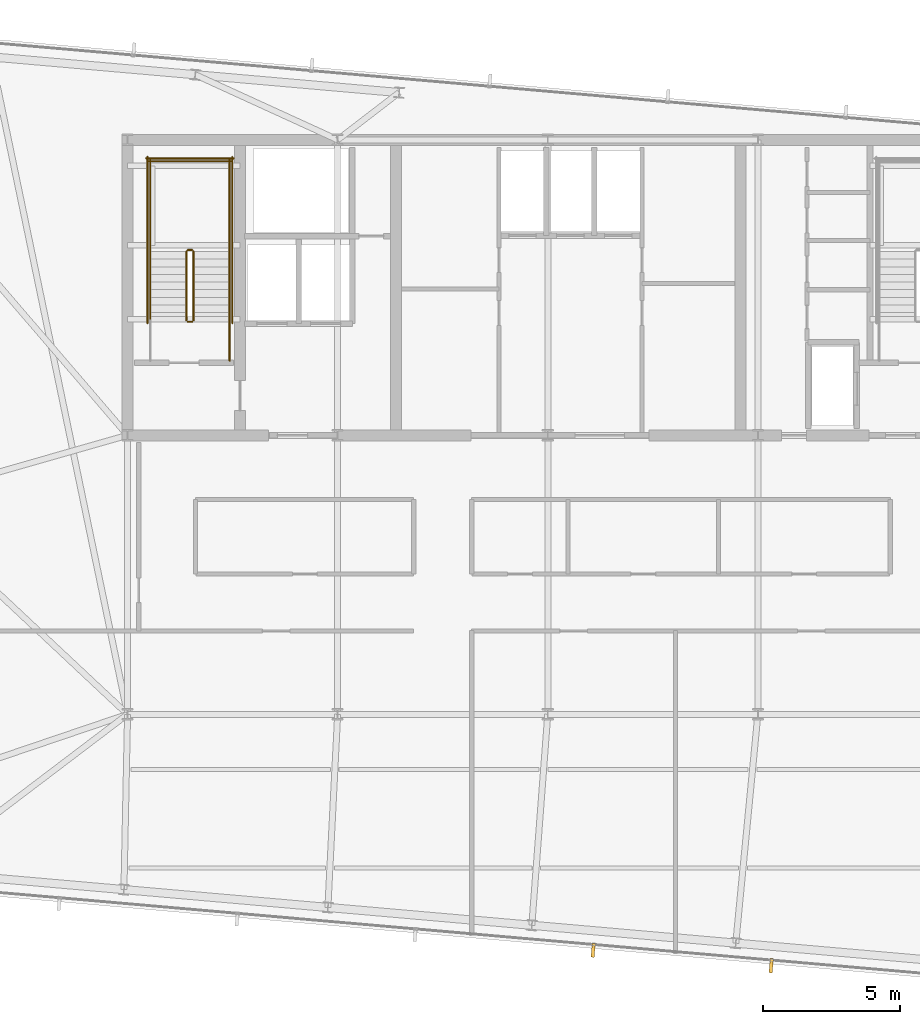
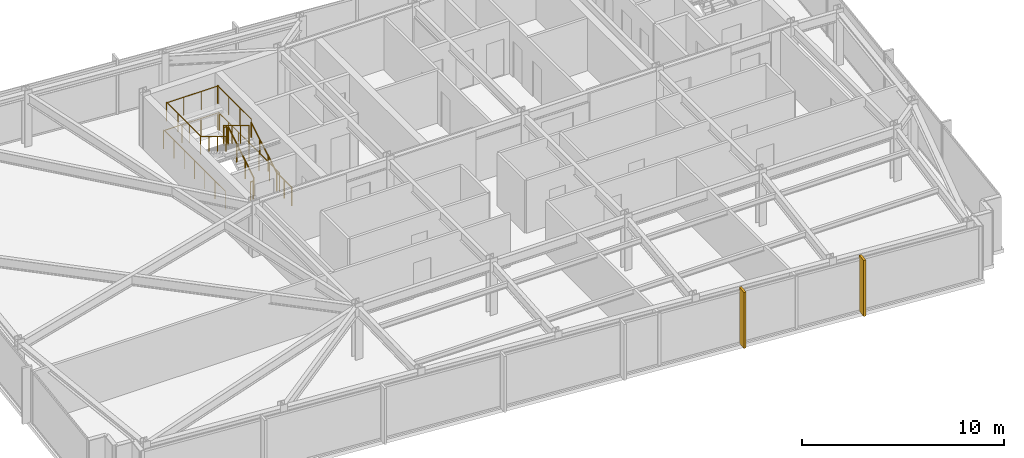
# One storey, part 30 of 32: 13 railings, 2 shading devices.
"""IFC4 building model written with IfcOpenShell, lengths in metres."""

from ifc_helpers import new_model, si_unit, direction, frame, origin, origin_2d, place, context, subcontext, project, spatial, rectangle, circle, extrude, material, layer, layer_set, type_object, element, save


model = new_model("IFC4")

# Units and contexts
model_context = context("Model", 3, precision=1e-05, world=origin(), true_north=direction((0.0, 1.0)))
body_context = subcontext(model_context, "Body", "Model", "MODEL_VIEW")
ifc_project = project(units=[si_unit("LENGTHUNIT", "METRE"), si_unit("AREAUNIT", "SQUARE_METRE"), si_unit("VOLUMEUNIT", "CUBIC_METRE"), si_unit("PLANEANGLEUNIT", "RADIAN"), si_unit("MASSUNIT", "GRAM", prefix="KILO")], contexts=[model_context])

# Site, building, storey
site_placement = place(None, origin())
site = spatial("IfcSite", under=ifc_project, at=site_placement, CompositionType="ELEMENT")
building_placement = place(site_placement, origin())
building = spatial("IfcBuilding", under=site, at=building_placement, Name="Yelkora Congress Tower", CompositionType="ELEMENT")
storey_placement = place(building_placement, frame((0.0, 0.0, 272.699951171875)))
storey = spatial("IfcBuildingStorey", under=building, at=storey_placement, Name="L76", CompositionType="ELEMENT", Elevation=272.699951171875)

# Railings
ifc_material_1 = material(Name="Painted galvanised steel stair well guard with vertical infill", Category="steel")
ifc_layer_1 = layer(ifc_material_1, 0.06005859375)
ifc_layer_set_1 = layer_set([ifc_layer_1], Name="Painted galvanised steel stair well guard with vertical infill")
railing_type_1 = type_object("IfcRailingType", Name="RAIL-STAIR-GUARD-1120", PredefinedType="GUARDRAIL", material=ifc_layer_set_1)
railing_1_placement = place(storey_placement, frame((25.449951171875, 39.60009765625, 0.170166015625)))
element("IfcRailing", 1, at=railing_1_placement, inside=storey, type_object=railing_type_1, Name="ST-01 L76 Stair Well Guardrail 1", PredefinedType="GUARDRAIL", context=body_context, shape_type="SweptSolid", body=[
    extrude(circle(Radius=0.02392578125, at=origin_2d()), frame((0.0, 0.0, 1.09619140625), z_axis=(0.0, 0.854821627497, 0.518921945155), x_axis=(-1.0, 0.0, 0.0)), (0.0, 0.0, 1.0), 2.947998046875),
    extrude(circle(Radius=0.02099609375, at=origin_2d()), origin(), (0.0, 0.0, 1.0), 1.072021484375),
    extrude(circle(Radius=0.02099609375, at=origin_2d()), frame((0.0, 0.840087890625, 0.510009765625)), (0.0, 0.0, 1.0), 1.072021484375),
    extrude(circle(Radius=0.02099609375, at=origin_2d()), frame((0.0, 1.679931640625, 1.019775390625)), (0.0, 0.0, 1.0), 1.072021484375),
    extrude(circle(Radius=0.02099609375, at=origin_2d()), frame((0.0, 2.52001953125, 1.52978515625)), (0.0, 0.0, 1.0), 1.072021484375),
])
railing_2_placement = place(storey_placement, frame((25.39990234375, 42.169921875, 1.699951171875)))
element("IfcRailing", 2, at=railing_2_placement, inside=storey, type_object=railing_type_1, Name="ST-01 L76 Stair Well Guardrail 2", PredefinedType="GUARDRAIL", context=body_context, shape_type="SweptSolid", body=[
    extrude(circle(Radius=0.02392578125, at=origin_2d()), frame((0.0, 0.0, 1.09619140625), z_axis=(-1.0, 0.0, 0.0), x_axis=(0.0, -1.0, 0.0)), (0.0, 0.0, 1.0), 0.159912109375),
    extrude(circle(Radius=0.02099609375, at=origin_2d()), origin(), (0.0, 0.0, 1.0), 1.072021484375),
    extrude(circle(Radius=0.02099609375, at=origin_2d()), frame((-0.159912109375, 0.0, 0.0)), (0.0, 0.0, 1.0), 1.072021484375),
])
for number, where, name in (
    (3, (26.77001953125, 42.1201171875, 1.699951171875), "ST-01 L76 Stair Well Guardrail 3"),
    (4, (23.8701171875, 42.1201171875, 1.699951171875), "ST-01 L76 Stair Well Guardrail 4"),
):
    element("IfcRailing", number, at=place(storey_placement, frame(where)), inside=storey, type_object=railing_type_1, Name=name, PredefinedType="GUARDRAIL", context=body_context, shape_type="SweptSolid", body=[
        extrude(circle(Radius=0.02392578125, at=origin_2d()), frame((0.0, 0.0, 1.09619140625), z_axis=(0.0, 1.0, 0.0), x_axis=(-1.0, 0.0, 0.0)), (0.0, 0.0, 1.0), 3.349853515625),
        extrude(circle(Radius=0.02099609375, at=origin_2d()), origin(), (0.0, 0.0, 1.0), 1.072021484375),
        extrude(circle(Radius=0.02099609375, at=origin_2d()), frame((0.0, 1.11669921875, 0.0)), (0.0, 0.0, 1.0), 1.072021484375),
        extrude(circle(Radius=0.02099609375, at=origin_2d()), frame((0.0, 2.233154296875, 0.0)), (0.0, 0.0, 1.0), 1.072021484375),
        extrude(circle(Radius=0.02099609375, at=origin_2d()), frame((0.0, 3.349853515625, 0.0)), (0.0, 0.0, 1.0), 1.072021484375),
    ])
railing_3_placement = place(storey_placement, frame((26.820068359375, 45.419921875, 1.699951171875)))
element("IfcRailing", 5, at=railing_3_placement, inside=storey, type_object=railing_type_1, Name="ST-01 L76 Stair Well Guardrail 5", PredefinedType="GUARDRAIL", context=body_context, shape_type="SweptSolid", body=[
    extrude(circle(Radius=0.02392578125, at=origin_2d()), frame((0.0, 0.0, 1.09619140625), z_axis=(-1.0, 0.0, 0.0), x_axis=(0.0, -1.0, 0.0)), (0.0, 0.0, 1.0), 3.0),
    extrude(circle(Radius=0.02099609375, at=origin_2d()), origin(), (0.0, 0.0, 1.0), 1.072021484375),
    extrude(circle(Radius=0.02099609375, at=origin_2d()), frame((-1.0, 0.0, 0.0)), (0.0, 0.0, 1.0), 1.072021484375),
    extrude(circle(Radius=0.02099609375, at=origin_2d()), frame((-2.0, 0.0, 0.0)), (0.0, 0.0, 1.0), 1.072021484375),
    extrude(circle(Radius=0.02099609375, at=origin_2d()), frame((-3.0, 0.0, 0.0)), (0.0, 0.0, 1.0), 1.072021484375),
])
railing_4_placement = place(storey_placement, frame((25.18994140625, 42.1201171875, 1.8701171875)))
element("IfcRailing", 6, at=railing_4_placement, inside=storey, type_object=railing_type_1, Name="ST-01 L76 Stair Well Guardrail 6", PredefinedType="GUARDRAIL", context=body_context, shape_type="SweptSolid", body=[
    extrude(circle(Radius=0.02392578125, at=origin_2d()), frame((0.0, 0.0, 1.09619140625), z_axis=(0.0, -0.85478489116, 0.518982456201), x_axis=(1.0, 0.0, 0.0)), (0.0, 0.0, 1.0), 2.9482421875),
    extrude(circle(Radius=0.02099609375, at=origin_2d()), origin(), (0.0, 0.0, 1.0), 1.072021484375),
    extrude(circle(Radius=0.02099609375, at=origin_2d()), frame((0.0, -0.840087890625, 0.510009765625)), (0.0, 0.0, 1.0), 1.072021484375),
    extrude(circle(Radius=0.02099609375, at=origin_2d()), frame((0.0, -1.679931640625, 1.02001953125)), (0.0, 0.0, 1.0), 1.072021484375),
    extrude(circle(Radius=0.02099609375, at=origin_2d()), frame((0.0, -2.52001953125, 1.530029296875)), (0.0, 0.0, 1.0), 1.072021484375),
])
railing_5_placement = place(storey_placement, frame((25.39990234375, 39.550048828125, 0.0)))
element("IfcRailing", 7, at=railing_5_placement, inside=storey, type_object=railing_type_1, Name="ST-01 L76 Stair Well Guardrail 7", PredefinedType="GUARDRAIL", context=body_context, shape_type="SweptSolid", body=[
    extrude(circle(Radius=0.02392578125, at=origin_2d()), frame((0.0, 0.0, 1.09619140625), z_axis=(-1.0, 0.0, 0.0), x_axis=(0.0, -1.0, 0.0)), (0.0, 0.0, 1.0), 0.159912109375),
    extrude(circle(Radius=0.02099609375, at=origin_2d()), origin(), (0.0, 0.0, 1.0), 1.072021484375),
    extrude(circle(Radius=0.02099609375, at=origin_2d()), frame((-0.159912109375, 0.0, 0.0)), (0.0, 0.0, 1.0), 1.072021484375),
])
railing_6_placement = place(storey_placement, frame((26.77001953125, 38.1201171875, 0.0)))
element("IfcRailing", 8, at=railing_6_placement, inside=storey, type_object=railing_type_1, Name="ST-01 L76 Stair Well Guardrail 8", PredefinedType="GUARDRAIL", context=body_context, shape_type="SweptSolid", body=[
    extrude(circle(Radius=0.02392578125, at=origin_2d()), frame((0.0, 0.0, 1.09619140625), z_axis=(0.0, 1.0, 0.0), x_axis=(-1.0, 0.0, 0.0)), (0.0, 0.0, 1.0), 1.47998046875),
    extrude(circle(Radius=0.02099609375, at=origin_2d()), origin(), (0.0, 0.0, 1.0), 1.072021484375),
    extrude(circle(Radius=0.02099609375, at=origin_2d()), frame((0.0, 0.739990234375, 0.0)), (0.0, 0.0, 1.0), 1.072021484375),
    extrude(circle(Radius=0.02099609375, at=origin_2d()), frame((0.0, 1.47998046875, 0.0)), (0.0, 0.0, 1.0), 1.072021484375),
])
for number, where, name in (
    (9, (26.8701171875, 39.5, 0.0), "ST-01 L76 Stair Well Guardrail 10"),
    (10, (23.77001953125, 39.5, 0.0), "ST-01 L76 Stair Well Guardrail 11"),
):
    element("IfcRailing", number, at=place(storey_placement, frame(where)), inside=storey, type_object=railing_type_1, Name=name, PredefinedType="GUARDRAIL", context=body_context, shape_type="SweptSolid", body=[
        extrude(circle(Radius=0.02392578125, at=origin_2d()), frame((0.0, 0.0, 1.09619140625), z_axis=(0.0, 1.0, 0.0), x_axis=(-1.0, 0.0, 0.0)), (0.0, 0.0, 1.0), 6.070068359375),
        extrude(circle(Radius=0.02099609375, at=origin_2d()), origin(), (0.0, 0.0, 1.0), 1.072021484375),
        extrude(circle(Radius=0.02099609375, at=origin_2d()), frame((0.0, 1.01171875, 0.0)), (0.0, 0.0, 1.0), 1.072021484375),
        extrude(circle(Radius=0.02099609375, at=origin_2d()), frame((0.0, 2.0234375, 0.0)), (0.0, 0.0, 1.0), 1.072021484375),
        extrude(circle(Radius=0.02099609375, at=origin_2d()), frame((0.0, 3.03515625, 0.0)), (0.0, 0.0, 1.0), 1.072021484375),
        extrude(circle(Radius=0.02099609375, at=origin_2d()), frame((0.0, 4.046630859375, 0.0)), (0.0, 0.0, 1.0), 1.072021484375),
        extrude(circle(Radius=0.02099609375, at=origin_2d()), frame((0.0, 5.058349609375, 0.0)), (0.0, 0.0, 1.0), 1.072021484375),
        extrude(circle(Radius=0.02099609375, at=origin_2d()), frame((0.0, 6.070068359375, 0.0)), (0.0, 0.0, 1.0), 1.072021484375),
    ])
railing_7_placement = place(storey_placement, frame((26.919921875, 45.52001953125, 0.0)))
element("IfcRailing", 11, at=railing_7_placement, inside=storey, type_object=railing_type_1, Name="ST-01 L76 Stair Well Guardrail 12", PredefinedType="GUARDRAIL", context=body_context, shape_type="SweptSolid", body=[
    extrude(circle(Radius=0.02392578125, at=origin_2d()), frame((0.0, 0.0, 1.09619140625), z_axis=(-1.0, 0.0, 0.0), x_axis=(0.0, -1.0, 0.0)), (0.0, 0.0, 1.0), 3.199951171875),
    extrude(circle(Radius=0.02099609375, at=origin_2d()), origin(), (0.0, 0.0, 1.0), 1.072021484375),
    extrude(circle(Radius=0.02099609375, at=origin_2d()), frame((-1.066650390625, 0.0, 0.0)), (0.0, 0.0, 1.0), 1.072021484375),
    extrude(circle(Radius=0.02099609375, at=origin_2d()), frame((-2.13330078125, 0.0, 0.0)), (0.0, 0.0, 1.0), 1.072021484375),
    extrude(circle(Radius=0.02099609375, at=origin_2d()), frame((-3.199951171875, 0.0, 0.0)), (0.0, 0.0, 1.0), 1.072021484375),
])
ifc_material_2 = material(Name="Brushed stainless steel tubular handrail", Category="steel")
ifc_layer_2 = layer(ifc_material_2, 0.050048828125)
ifc_layer_set_2 = layer_set([ifc_layer_2], Name="Brushed stainless steel tubular handrail")
railing_type_2 = type_object("IfcRailingType", Name="RAIL-STAIR-HAND-920", PredefinedType="HANDRAIL", material=ifc_layer_set_2)
railing_8_placement = place(storey_placement, frame((26.77001953125, 39.60009765625, 0.170166015625)))
element("IfcRailing", 12, at=railing_8_placement, inside=storey, type_object=railing_type_2, Name="ST-01 L76 Pitch Handrail 1", PredefinedType="HANDRAIL", context=body_context, shape_type="SweptSolid", body=[
    extrude(circle(Radius=0.02392578125, at=origin_2d()), frame((0.0, 0.0, 0.89599609375), z_axis=(0.0, 0.854821627497, 0.518921945155), x_axis=(-1.0, 0.0, 0.0)), (0.0, 0.0, 1.0), 2.947998046875),
    extrude(circle(Radius=0.02099609375, at=origin_2d()), origin(), (0.0, 0.0, 1.0), 0.871826171875),
    extrude(circle(Radius=0.02099609375, at=origin_2d()), frame((0.0, 0.840087890625, 0.510009765625)), (0.0, 0.0, 1.0), 0.871826171875),
    extrude(circle(Radius=0.02099609375, at=origin_2d()), frame((0.0, 1.679931640625, 1.019775390625)), (0.0, 0.0, 1.0), 0.871826171875),
    extrude(circle(Radius=0.02099609375, at=origin_2d()), frame((0.0, 2.52001953125, 1.52978515625)), (0.0, 0.0, 1.0), 0.871826171875),
])
railing_9_placement = place(storey_placement, frame((23.8701171875, 42.1201171875, 1.8701171875)))
element("IfcRailing", 13, at=railing_9_placement, inside=storey, type_object=railing_type_2, Name="ST-01 L76 Pitch Handrail 2", PredefinedType="HANDRAIL", context=body_context, shape_type="SweptSolid", body=[
    extrude(circle(Radius=0.02392578125, at=origin_2d()), frame((0.0, 0.0, 0.89599609375), z_axis=(0.0, -0.85478489116, 0.518982456201), x_axis=(1.0, 0.0, 0.0)), (0.0, 0.0, 1.0), 2.9482421875),
    extrude(circle(Radius=0.02099609375, at=origin_2d()), origin(), (0.0, 0.0, 1.0), 0.871826171875),
    extrude(circle(Radius=0.02099609375, at=origin_2d()), frame((0.0, -0.840087890625, 0.510009765625)), (0.0, 0.0, 1.0), 0.871826171875),
    extrude(circle(Radius=0.02099609375, at=origin_2d()), frame((0.0, -1.679931640625, 1.02001953125)), (0.0, 0.0, 1.0), 0.871826171875),
    extrude(circle(Radius=0.02099609375, at=origin_2d()), frame((0.0, -2.52001953125, 1.530029296875)), (0.0, 0.0, 1.0), 0.871826171875),
])

# Shading devices
ifc_material_3 = material(Name="Champagne anodised aluminium", Category="aluminium")
ifc_layer_3 = layer(ifc_material_3, 3.300048828125)
ifc_layer_set_3 = layer_set([ifc_layer_3], Name="Champagne anodised aluminium")
shading_device_type = type_object("IfcShadingDeviceType", Name="SHD-FIN-ALU-520", PredefinedType="USERDEFINED", material=ifc_layer_set_3)
for number, where, z_axis, x_axis, name in (
    (14, (46.567138671875, 16.0107421875, -0.02978515625), (0.0, 0.0, 1.0), (-0.996194698092, 0.087155742748, 0.0), "L76 Vertical Anodised Solar Fin 20-1"),
    (15, (40.060546875, 16.579833984375, -0.02978515625), (0.0, 0.0, 1.0), (-0.996194698092, 0.087155742748, 0.0), "L76 Vertical Anodised Solar Fin 20-2"),
):
    element("IfcShadingDevice", number, at=place(storey_placement, frame(where, z_axis=z_axis, x_axis=x_axis)), inside=storey, type_object=shading_device_type, Name=name, ObjectType="FIN", PredefinedType="USERDEFINED", context=body_context, shape_type="SweptSolid", body=[
        extrude(rectangle(XDim=0.1201171875, YDim=0.52001953125, at=origin_2d()), origin(), (0.0, 0.0, 1.0), 3.3798828125),
    ])

save(model, "model.ifc")
